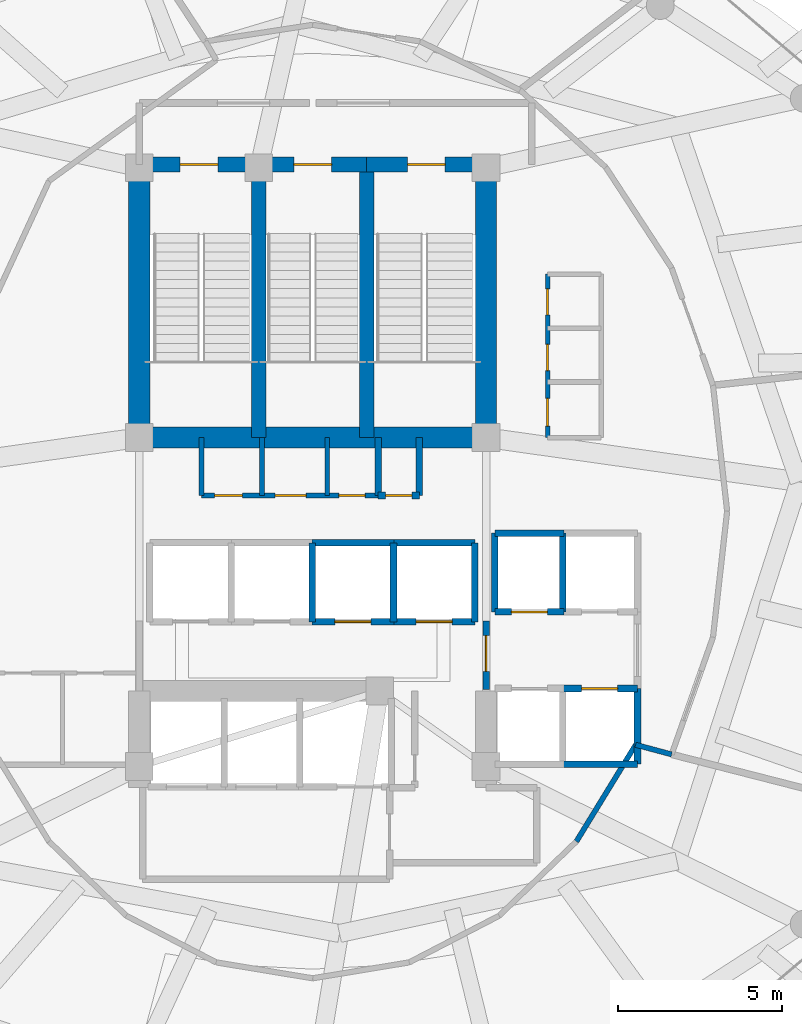
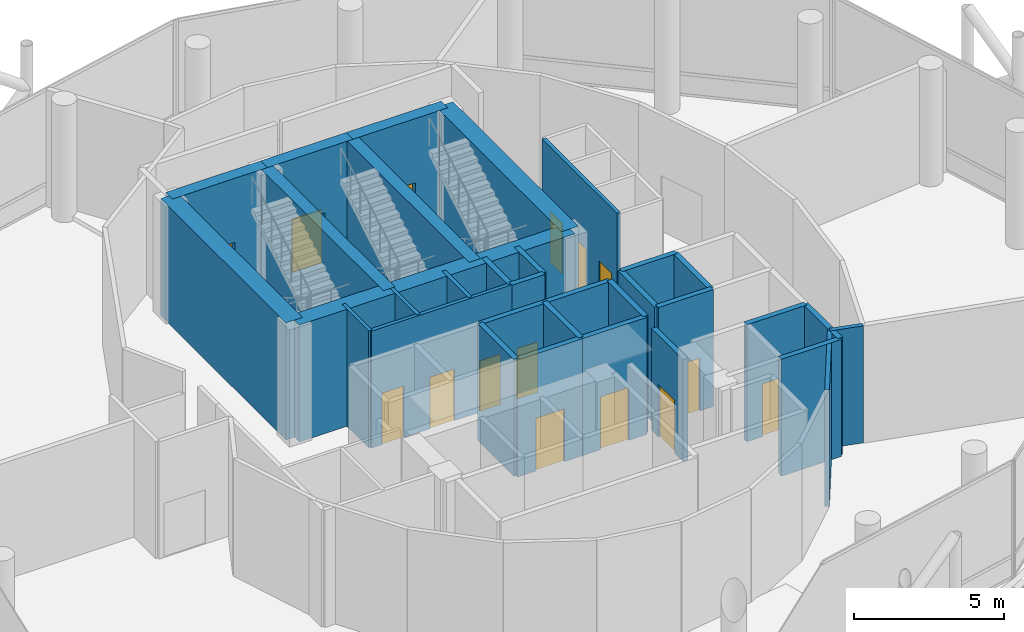
# One storey, part 25 of 31: 33 walls, 15 doors, 15 openings.
"""IFC4 building model written with IfcOpenShell, lengths in metres."""

from ifc_helpers import new_model, si_unit, direction, frame, frame_2d, origin, place, context, subcontext, project, spatial, rectangle, extrude, material, layer, layer_set, type_object, element, fill, save


model = new_model("IFC4")

# Units and contexts
model_context = context("Model", 3, precision=1e-05, world=origin(), true_north=direction((0.0, 1.0)))
body_context = subcontext(model_context, "Body", "Model", "MODEL_VIEW")
ifc_project = project(units=[si_unit("LENGTHUNIT", "METRE"), si_unit("AREAUNIT", "SQUARE_METRE"), si_unit("VOLUMEUNIT", "CUBIC_METRE"), si_unit("PLANEANGLEUNIT", "RADIAN"), si_unit("MASSUNIT", "GRAM", prefix="KILO")], contexts=[model_context])

# Site, building, storey
site_placement = place(None, origin())
site = spatial("IfcSite", under=ifc_project, at=site_placement, CompositionType="ELEMENT")
building_placement = place(site_placement, origin())
building = spatial("IfcBuilding", under=site, at=building_placement, Name="Nuhasar Tower", CompositionType="ELEMENT")
storey_placement = place(building_placement, frame((0.0, 0.0, 203.14990234375)))
storey = spatial("IfcBuildingStorey", under=building, at=storey_placement, Name="L49", CompositionType="ELEMENT", Elevation=203.14990234375)

# Wall, opening, door
ifc_material_1 = material(Name="Concrete C50/60", Category="concrete")
ifc_layer_1 = layer(ifc_material_1, 0.449951171875)
ifc_layer_set_1 = layer_set([ifc_layer_1], Name="Concrete C50/60")
wall_type_1 = type_object("IfcWallType", Name="WL-CORE-450", PredefinedType="SHEAR", material=ifc_layer_set_1)
wall_1_placement = place(storey_placement, frame((37.35009765625, 37.39990234375, 0.0), z_axis=(0.0, 0.0, 1.0), x_axis=(-1.0, 0.0, 0.0)))
wall_1 = element("IfcWall", 1, at=wall_1_placement, inside=storey, type_object=wall_type_1, Name="L49 Stairwell Shear Wall ST01-N", PredefinedType="SHEAR", context=body_context, shape_type="SweptSolid", body=[
    extrude(rectangle(XDim=3.650146484375, YDim=0.449951171875, at=frame_2d((1.8251953125, 0.0))), origin(), (0.0, 0.0, 1.0), 4.760009765625),
])
opening_1_placement = place(wall_1_placement, frame((1.25, 0.0, 0.0)))
opening_1 = element("IfcOpeningElement", 2, at=opening_1_placement, cuts=wall_1, Name="Opening DS-01", PredefinedType="OPENING", context=body_context, shape_type="SweptSolid", body=[
    extrude(rectangle(XDim=1.14990234375, YDim=2.14990234375, at=frame_2d((0.574951171875, 1.074951171875))), frame((0.0, 0.23486328125, 0.0), z_axis=(0.0, -1.0, 0.0), x_axis=(1.0, 0.0, 0.0)), (0.0, 0.0, 1.0), 0.469970703125),
])
ifc_material_2 = material(Name="Steel S355", Category="steel")
door_type_1 = type_object("IfcDoorType", Name="DR-STAIR-FD120-1150", OperationType="NOTDEFINED", PredefinedType="DOOR", material=ifc_material_2)
door_1_placement = place(opening_1_placement, origin())
door_1 = element("IfcDoor", 3, at=door_1_placement, inside=storey, type_object=door_type_1, Name="L49 Exit Stair ST-01 Door", OperationType="SINGLE_SWING_RIGHT", OverallHeight=2.14990234375, OverallWidth=1.14990234375, PredefinedType="DOOR", context=body_context, shape_type="SweptSolid", body=[
    extrude(rectangle(XDim=1.14990234375, YDim=2.14990234375, at=frame_2d((0.574951171875, 1.074951171875))), frame((0.0, 0.02490234375, 0.0), z_axis=(0.0, -1.0, 0.0), x_axis=(1.0, 0.0, 0.0)), (0.0, 0.0, 1.0), 0.050048828125),
])
fill(opening_1, door_1)

# Wall
wall_2_placement = place(storey_placement, frame((37.35009765625, 29.050048828125, 0.0), z_axis=(0.0, 0.0, 1.0), x_axis=(0.0, 1.0, 0.0)))
element("IfcWall", 4, at=wall_2_placement, inside=storey, type_object=wall_type_1, Name="L49 Stairwell Shear Wall ST01-E", PredefinedType="SHEAR", context=body_context, shape_type="SweptSolid", body=[
    extrude(rectangle(XDim=8.349853515625, YDim=0.449951171875, at=frame_2d((4.1748046875, 0.0))), origin(), (0.0, 0.0, 1.0), 4.760009765625),
])

# Wall, opening, door
wall_3_placement = place(storey_placement, frame((40.64990234375, 37.39990234375, 0.0), z_axis=(0.0, 0.0, 1.0), x_axis=(-1.0, 0.0, 0.0)))
wall_3 = element("IfcWall", 5, at=wall_3_placement, inside=storey, type_object=wall_type_1, Name="L49 Stairwell Shear Wall ST03-N", PredefinedType="SHEAR", context=body_context, shape_type="SweptSolid", body=[
    extrude(rectangle(XDim=3.2998046875, YDim=0.449951171875, at=frame_2d((1.64990234375, 0.0))), origin(), (0.0, 0.0, 1.0), 4.760009765625),
])
opening_2_placement = place(wall_3_placement, frame((1.074951171875, 0.0, 0.0)))
opening_2 = element("IfcOpeningElement", 6, at=opening_2_placement, cuts=wall_3, Name="Opening DS-01", PredefinedType="OPENING", context=body_context, shape_type="SweptSolid", body=[
    extrude(rectangle(XDim=1.14990234375, YDim=2.14990234375, at=frame_2d((0.574951171875, 1.074951171875))), frame((0.0, 0.23486328125, 0.0), z_axis=(0.0, -1.0, 0.0), x_axis=(1.0, 0.0, 0.0)), (0.0, 0.0, 1.0), 0.469970703125),
])
door_2_placement = place(opening_2_placement, origin())
door_2 = element("IfcDoor", 7, at=door_2_placement, inside=storey, type_object=door_type_1, Name="L49 Exit Stair ST-03 Door", OperationType="SINGLE_SWING_RIGHT", OverallHeight=2.14990234375, OverallWidth=1.14990234375, PredefinedType="DOOR", context=body_context, shape_type="SweptSolid", body=[
    extrude(rectangle(XDim=1.14990234375, YDim=2.14990234375, at=frame_2d((0.574951171875, 1.074951171875))), frame((0.0, 0.02490234375, 0.0), z_axis=(0.0, -1.0, 0.0), x_axis=(1.0, 0.0, 0.0)), (0.0, 0.0, 1.0), 0.050048828125),
])
fill(opening_2, door_2)

# Wall
wall_4_placement = place(storey_placement, frame((40.64990234375, 29.050048828125, 0.0), z_axis=(0.0, 0.0, 1.0), x_axis=(0.0, 1.0, 0.0)))
element("IfcWall", 8, at=wall_4_placement, inside=storey, type_object=wall_type_1, Name="L49 Stairwell Shear Wall ST03-E", PredefinedType="SHEAR", context=body_context, shape_type="SweptSolid", body=[
    extrude(rectangle(XDim=8.349853515625, YDim=0.449951171875, at=frame_2d((4.1748046875, 0.0))), origin(), (0.0, 0.0, 1.0), 4.760009765625),
])

# Wall, opening, door
wall_5_placement = place(storey_placement, frame((44.300048828125, 37.39990234375, 0.0), z_axis=(0.0, 0.0, 1.0), x_axis=(-1.0, 0.0, 0.0)))
wall_5 = element("IfcWall", 9, at=wall_5_placement, inside=storey, type_object=wall_type_1, Name="L49 Stairwell Shear Wall ST02-N", PredefinedType="SHEAR", context=body_context, shape_type="SweptSolid", body=[
    extrude(rectangle(XDim=3.650146484375, YDim=0.449951171875, at=frame_2d((1.8251953125, 0.0))), origin(), (0.0, 0.0, 1.0), 4.760009765625),
])
opening_3_placement = place(wall_5_placement, frame((1.25, 0.0, 0.0)))
opening_3 = element("IfcOpeningElement", 10, at=opening_3_placement, cuts=wall_5, Name="Opening DS-01", PredefinedType="OPENING", context=body_context, shape_type="SweptSolid", body=[
    extrude(rectangle(XDim=1.14990234375, YDim=2.14990234375, at=frame_2d((0.574951171875, 1.074951171875))), frame((0.0, 0.23486328125, 0.0), z_axis=(0.0, -1.0, 0.0), x_axis=(1.0, 0.0, 0.0)), (0.0, 0.0, 1.0), 0.469970703125),
])
door_3_placement = place(opening_3_placement, origin())
door_3 = element("IfcDoor", 11, at=door_3_placement, inside=storey, type_object=door_type_1, Name="L49 Exit Stair ST-02 Door", OperationType="SINGLE_SWING_LEFT", OverallHeight=2.14990234375, OverallWidth=1.14990234375, PredefinedType="DOOR", context=body_context, shape_type="SweptSolid", body=[
    extrude(rectangle(XDim=1.14990234375, YDim=2.14990234375, at=frame_2d((0.574951171875, 1.074951171875))), frame((0.0, 0.02490234375, 0.0), z_axis=(0.0, -1.0, 0.0), x_axis=(1.0, 0.0, 0.0)), (0.0, 0.0, 1.0), 0.050048828125),
])
fill(opening_3, door_3)

# Walls
ifc_material_3 = material(Name="Concrete C65/80", Category="concrete")
ifc_layer_2 = layer(ifc_material_3, 0.64990234375)
ifc_layer_set_2 = layer_set([ifc_layer_2], Name="Concrete C65/80")
wall_type_2 = type_object("IfcWallType", Name="WL-CORE-650", PredefinedType="SHEAR", material=ifc_layer_set_2)
for number, where, z_axis, x_axis, name in (
    (12, (33.699951171875, 29.050048828125, 0.0), (0.0, 0.0, 1.0), (0.0, 1.0, 0.0), "L49 Core Shear Wall CW-NW CW-650"),
    (13, (44.300048828125, 29.050048828125, 0.0), (0.0, 0.0, 1.0), (0.0, 1.0, 0.0), "L49 Core Shear Wall CW-NE CW-650"),
):
    element("IfcWall", number, at=place(storey_placement, frame(where, z_axis=z_axis, x_axis=x_axis)), inside=storey, type_object=wall_type_2, Name=name, PredefinedType="SHEAR", context=body_context, shape_type="SweptSolid", body=[
        extrude(rectangle(XDim=8.349853515625, YDim=0.64990234375, at=frame_2d((4.1748046875, 0.0))), origin(), (0.0, 0.0, 1.0), 4.760009765625),
    ])
wall_6_placement = place(storey_placement, frame((33.699951171875, 29.050048828125, 0.0), z_axis=(0.0, 0.0, 1.0), x_axis=(1.0, 0.0, 0.0)))
element("IfcWall", 14, at=wall_6_placement, inside=storey, type_object=wall_type_2, Name="L49 Core Shear Wall CW-N1 CW-650", PredefinedType="SHEAR", context=body_context, shape_type="SweptSolid", body=[
    extrude(rectangle(XDim=10.60009765625, YDim=0.64990234375, at=frame_2d((5.300048828125, 0.0))), origin(), (0.0, 0.0, 1.0), 4.760009765625),
])
ifc_material_4 = material(Name="Gypsum Board", Category="gypsum")
ifc_layer_3 = layer(ifc_material_4, 0.159912109375)
ifc_layer_set_3 = layer_set([ifc_layer_3], Name="Gypsum Board")
wall_type_3 = type_object("IfcWallType", Name="WL-CORR-160", PredefinedType="PARTITIONING", material=ifc_layer_set_3)
wall_7_placement = place(storey_placement, frame((48.873046875, 19.659912109375, 0.0), z_axis=(0.0, 0.0, 1.0), x_axis=(0.965878165217, -0.258996853181, 0.0)))
element("IfcWall", 15, at=wall_7_placement, inside=storey, type_object=wall_type_3, Name="L49 Interior Partition SRAD-44-IN", PredefinedType="PARTITIONING", context=body_context, shape_type="SweptSolid", body=[
    extrude(rectangle(XDim=1.138671875, YDim=0.159912109375, at=frame_2d((0.5693359375, 0.0))), origin(), (0.0, 0.0, 1.0), 4.760009765625),
])
wall_8_placement = place(storey_placement, frame((47.06103515625, 16.702880859375, 0.0), z_axis=(0.0, 0.0, 1.0), x_axis=(0.522486120877, 0.852647789823, 0.0)))
element("IfcWall", 16, at=wall_8_placement, inside=storey, type_object=wall_type_3, Name="L49 Interior Partition SWEST-CORE-S-42", PredefinedType="PARTITIONING", context=body_context, shape_type="SweptSolid", body=[
    extrude(rectangle(XDim=3.468017578125, YDim=0.159912109375, at=frame_2d((1.73388671875, 0.0))), origin(), (0.0, 0.0, 1.0), 4.760009765625),
])

# Wall, opening, door
ifc_material_5 = material(Name="Concrete C45/55", Category="concrete")
ifc_layer_4 = layer(ifc_material_5, 0.199951171875)
ifc_layer_set_4 = layer_set([ifc_layer_4], Name="Concrete C45/55")
wall_type_4 = type_object("IfcWallType", Name="WL-LOBBY-200", PredefinedType="SOLIDWALL", material=ifc_layer_set_4)
wall_9_placement = place(storey_placement, frame((44.300048828125, 21.35009765625, 0.0), z_axis=(0.0, 0.0, 1.0), x_axis=(0.0, 1.0, 0.0)))
wall_9 = element("IfcWall", 17, at=wall_9_placement, inside=storey, type_object=wall_type_4, Name="L49 Interior Partition LLBH-E", PredefinedType="SOLIDWALL", context=body_context, shape_type="SweptSolid", body=[
    extrude(rectangle(XDim=2.099853515625, YDim=0.199951171875, at=frame_2d((1.0498046875, 0.0))), origin(), (0.0, 0.0, 1.0), 4.14501953125),
])
opening_4_placement = place(wall_9_placement, frame((0.550048828125, 0.0, 0.0)))
opening_4 = element("IfcOpeningElement", 18, at=opening_4_placement, cuts=wall_9, Name="Opening DS-02", PredefinedType="OPENING", context=body_context, shape_type="SweptSolid", body=[
    extrude(rectangle(XDim=1.10009765625, YDim=2.14990234375, at=frame_2d((0.550048828125, 1.074951171875))), frame((0.0, 0.10986328125, 0.0), z_axis=(0.0, -1.0, 0.0), x_axis=(1.0, 0.0, 0.0)), (0.0, 0.0, 1.0), 0.219970703125),
])
door_type_2 = type_object("IfcDoorType", Name="DR-FFL-FD120-1100", OperationType="NOTDEFINED", PredefinedType="DOOR", material=ifc_material_2)
door_4_placement = place(opening_4_placement, origin())
door_4 = element("IfcDoor", 19, at=door_4_placement, inside=storey, type_object=door_type_2, Name="L49 High-Rise Lobby East Door", OperationType="SINGLE_SWING_RIGHT", OverallHeight=2.14990234375, OverallWidth=1.10009765625, PredefinedType="DOOR", context=body_context, shape_type="SweptSolid", body=[
    extrude(rectangle(XDim=1.10009765625, YDim=2.14990234375, at=frame_2d((0.550048828125, 1.074951171875))), frame((0.0, 0.02490234375, 0.0), z_axis=(0.0, -1.0, 0.0), x_axis=(1.0, 0.0, 0.0)), (0.0, 0.0, 1.0), 0.050048828125),
])
fill(opening_4, door_4)

# Walls
ifc_layer_5 = layer(ifc_material_5, 0.199951171875)
ifc_layer_set_5 = layer_set([ifc_layer_5], Name="Concrete C45/55")
wall_type_5 = type_object("IfcWallType", Name="WL-SHAFT-200", PredefinedType="SOLIDWALL", material=ifc_layer_set_5)
for number, where, z_axis, x_axis, name in (
    (20, (41.0, 27.280029296875, 0.0), (0.0, 0.0, 1.0), (0.0, 1.0, 0.0), "L49 Interior Partition RSRN-W"),
    (21, (42.260009765625, 27.280029296875, 0.0), (0.0, 0.0, 1.0), (0.0, 1.0, 0.0), "L49 Interior Partition RSRN-E"),
):
    element("IfcWall", number, at=place(storey_placement, frame(where, z_axis=z_axis, x_axis=x_axis)), inside=storey, type_object=wall_type_5, Name=name, PredefinedType="SOLIDWALL", context=body_context, shape_type="SweptSolid", body=[
        extrude(rectangle(XDim=1.77001953125, YDim=0.199951171875, at=frame_2d((0.885009765625, 0.0))), origin(), (0.0, 0.0, 1.0), 4.760009765625),
    ])

# Wall, opening, door
wall_10_placement = place(storey_placement, frame((41.0, 27.280029296875, 0.0), z_axis=(0.0, 0.0, 1.0), x_axis=(1.0, 0.0, 0.0)))
wall_10 = element("IfcWall", 22, at=wall_10_placement, inside=storey, type_object=wall_type_5, Name="L49 Interior Partition RSRN-S", PredefinedType="SOLIDWALL", context=body_context, shape_type="SweptSolid", body=[
    extrude(rectangle(XDim=1.260009765625, YDim=0.199951171875, at=frame_2d((0.6298828125, 0.0))), origin(), (0.0, 0.0, 1.0), 4.760009765625),
])
opening_5_placement = place(wall_10_placement, frame((0.22998046875, 0.0, 0.0)))
opening_5 = element("IfcOpeningElement", 23, at=opening_5_placement, cuts=wall_10, Name="Opening DM-01", PredefinedType="OPENING", context=body_context, shape_type="SweptSolid", body=[
    extrude(rectangle(XDim=0.800048828125, YDim=2.050048828125, at=frame_2d((0.39990234375, 1.02490234375))), frame((0.0, 0.10986328125, 0.0), z_axis=(0.0, -1.0, 0.0), x_axis=(1.0, 0.0, 0.0)), (0.0, 0.0, 1.0), 0.219970703125),
])
door_type_3 = type_object("IfcDoorType", Name="DR-RISER-FD60-800", OperationType="NOTDEFINED", PredefinedType="DOOR", material=ifc_material_2)
door_5_placement = place(opening_5_placement, origin())
door_5 = element("IfcDoor", 24, at=door_5_placement, inside=storey, type_object=door_type_3, Name="L49 North Smoke Riser Door", OperationType="SINGLE_SWING_RIGHT", OverallHeight=2.050048828125, OverallWidth=0.800048828125, PredefinedType="DOOR", context=body_context, shape_type="SweptSolid", body=[
    extrude(rectangle(XDim=0.800048828125, YDim=2.050048828125, at=frame_2d((0.39990234375, 1.02490234375))), frame((0.0, 0.02490234375, 0.0), z_axis=(0.0, -1.0, 0.0), x_axis=(1.0, 0.0, 0.0)), (0.0, 0.0, 1.0), 0.050048828125),
])
fill(opening_5, door_5)

wall_11_placement = place(storey_placement, frame((44.570068359375, 23.719970703125, 0.0), z_axis=(0.0, 0.0, 1.0), x_axis=(1.0, 0.0, 0.0)))
wall_11 = element("IfcWall", 25, at=wall_11_placement, inside=storey, type_object=wall_type_5, Name="L49 Interior Partition SHF-PL-M01-S", PredefinedType="SOLIDWALL", context=body_context, shape_type="SweptSolid", body=[
    extrude(rectangle(XDim=2.10986328125, YDim=0.199951171875, at=frame_2d((1.054931640625, 0.0))), origin(), (0.0, 0.0, 1.0), 4.760009765625),
])
opening_6_placement = place(wall_11_placement, frame((0.5048828125, 0.0, 0.0)))
opening_6 = element("IfcOpeningElement", 26, at=opening_6_placement, cuts=wall_11, Name="Opening LD-M01", PredefinedType="OPENING", context=body_context, shape_type="SweptSolid", body=[
    extrude(rectangle(XDim=1.10009765625, YDim=2.14990234375, at=frame_2d((0.550048828125, 1.074951171875))), frame((0.0, 0.10986328125, 0.0), z_axis=(0.0, -1.0, 0.0), x_axis=(1.0, 0.0, 0.0)), (0.0, 0.0, 1.0), 0.219970703125),
])
ifc_material_6 = material(Name="Stainless Steel 316L", Category="steel")
door_type_4 = type_object("IfcDoorType", Name="LD-PAX-1100", OperationType="DOUBLE_DOOR_SLIDING", PredefinedType="DOOR", material=ifc_material_6)
door_6_placement = place(opening_6_placement, origin())
door_6 = element("IfcDoor", 27, at=door_6_placement, inside=storey, type_object=door_type_4, Name="L49 Lift Landing Door PL-M01", OperationType="DOUBLE_DOOR_SLIDING", OverallHeight=2.14990234375, OverallWidth=1.10009765625, PredefinedType="DOOR", context=body_context, shape_type="SweptSolid", body=[
    extrude(rectangle(XDim=1.10009765625, YDim=2.14990234375, at=frame_2d((0.550048828125, 1.074951171875))), frame((0.0, 0.02490234375, 0.0), z_axis=(0.0, -1.0, 0.0), x_axis=(1.0, 0.0, 0.0)), (0.0, 0.0, 1.0), 0.050048828125),
])
fill(opening_6, door_6)

# Walls
wall_12_placement = place(storey_placement, frame((44.570068359375, 26.1298828125, 0.0), z_axis=(0.0, 0.0, 1.0), x_axis=(1.0, 0.0, 0.0)))
element("IfcWall", 28, at=wall_12_placement, inside=storey, type_object=wall_type_5, Name="L49 Interior Partition SHF-PL-M01-N", PredefinedType="SOLIDWALL", context=body_context, shape_type="SweptSolid", body=[
    extrude(rectangle(XDim=2.10986328125, YDim=0.199951171875, at=frame_2d((1.054931640625, 0.0))), origin(), (0.0, 0.0, 1.0), 4.760009765625),
])
for number, where, z_axis, x_axis, name in (
    (29, (44.570068359375, 23.719970703125, 0.0), (0.0, 0.0, 1.0), (0.0, 1.0, 0.0), "L49 Interior Partition SHF-PL-M01-W"),
    (30, (46.64990234375, 23.719970703125, 0.0), (0.0, 0.0, 1.0), (0.0, 1.0, 0.0), "L49 Interior Partition SHF-PL-M01-E"),
):
    element("IfcWall", number, at=place(storey_placement, frame(where, z_axis=z_axis, x_axis=x_axis)), inside=storey, type_object=wall_type_5, Name=name, PredefinedType="SOLIDWALL", context=body_context, shape_type="SweptSolid", body=[
        extrude(rectangle(XDim=2.409912109375, YDim=0.199951171875, at=frame_2d((1.205078125, 0.0))), origin(), (0.0, 0.0, 1.0), 4.760009765625),
    ])
wall_13_placement = place(storey_placement, frame((46.6201171875, 19.070068359375, 0.0), z_axis=(0.0, 0.0, 1.0), x_axis=(1.0, 0.0, 0.0)))
element("IfcWall", 31, at=wall_13_placement, inside=storey, type_object=wall_type_5, Name="L49 Interior Partition SHF-PL-M04-S", PredefinedType="SOLIDWALL", context=body_context, shape_type="SweptSolid", body=[
    extrude(rectangle(XDim=2.309814453125, YDim=0.199951171875, at=frame_2d((1.15478515625, 0.0))), origin(), (0.0, 0.0, 1.0), 4.760009765625),
])

# Wall, opening, door
wall_14_placement = place(storey_placement, frame((46.6201171875, 21.3798828125, 0.0), z_axis=(0.0, 0.0, 1.0), x_axis=(1.0, 0.0, 0.0)))
wall_14 = element("IfcWall", 32, at=wall_14_placement, inside=storey, type_object=wall_type_5, Name="L49 Interior Partition SHF-PL-M04-N", PredefinedType="SOLIDWALL", context=body_context, shape_type="SweptSolid", body=[
    extrude(rectangle(XDim=2.309814453125, YDim=0.199951171875, at=frame_2d((1.15478515625, 0.0))), origin(), (0.0, 0.0, 1.0), 4.760009765625),
])
opening_7_placement = place(wall_14_placement, frame((0.60498046875, 0.0, 0.0)))
opening_7 = element("IfcOpeningElement", 33, at=opening_7_placement, cuts=wall_14, Name="Opening LD-M04", PredefinedType="OPENING", context=body_context, shape_type="SweptSolid", body=[
    extrude(rectangle(XDim=1.10009765625, YDim=2.14990234375, at=frame_2d((0.550048828125, 1.074951171875))), frame((0.0, 0.10986328125, 0.0), z_axis=(0.0, -1.0, 0.0), x_axis=(1.0, 0.0, 0.0)), (0.0, 0.0, 1.0), 0.219970703125),
])
door_7_placement = place(opening_7_placement, origin())
door_7 = element("IfcDoor", 34, at=door_7_placement, inside=storey, type_object=door_type_4, Name="L49 Lift Landing Door PL-M04", OperationType="DOUBLE_DOOR_SLIDING", OverallHeight=2.14990234375, OverallWidth=1.10009765625, PredefinedType="DOOR", context=body_context, shape_type="SweptSolid", body=[
    extrude(rectangle(XDim=1.10009765625, YDim=2.14990234375, at=frame_2d((0.550048828125, 1.074951171875))), frame((0.0, 0.02490234375, 0.0), z_axis=(0.0, -1.0, 0.0), x_axis=(1.0, 0.0, 0.0)), (0.0, 0.0, 1.0), 0.050048828125),
])
fill(opening_7, door_7)

# Walls
wall_15_placement = place(storey_placement, frame((48.929931640625, 19.070068359375, 0.0), z_axis=(0.0, 0.0, 1.0), x_axis=(0.0, 1.0, 0.0)))
element("IfcWall", 35, at=wall_15_placement, inside=storey, type_object=wall_type_5, Name="L49 Interior Partition SHF-PL-M04-E", PredefinedType="SOLIDWALL", context=body_context, shape_type="SweptSolid", body=[
    extrude(rectangle(XDim=2.309814453125, YDim=0.199951171875, at=frame_2d((1.15478515625, 0.0))), origin(), (0.0, 0.0, 1.0), 4.760009765625),
])
wall_16_placement = place(storey_placement, frame((38.989990234375, 23.419921875, 0.0), z_axis=(0.0, 0.0, 1.0), x_axis=(0.0, 1.0, 0.0)))
element("IfcWall", 36, at=wall_16_placement, inside=storey, type_object=wall_type_5, Name="L49 Interior Partition SHF-PL-H02-E", PredefinedType="SOLIDWALL", context=body_context, shape_type="SweptSolid", body=[
    extrude(rectangle(XDim=2.41015625, YDim=0.199951171875, at=frame_2d((1.205078125, 0.0))), origin(), (0.0, 0.0, 1.0), 4.760009765625),
])

# Wall, opening, door
wall_17_placement = place(storey_placement, frame((38.97998046875, 23.419921875, 0.0), z_axis=(0.0, 0.0, 1.0), x_axis=(1.0, 0.0, 0.0)))
wall_17 = element("IfcWall", 37, at=wall_17_placement, inside=storey, type_object=wall_type_5, Name="L49 Interior Partition SHF-PL-H03-S", PredefinedType="SOLIDWALL", context=body_context, shape_type="SweptSolid", body=[
    extrude(rectangle(XDim=2.5, YDim=0.199951171875, at=frame_2d((1.25, 0.0))), origin(), (0.0, 0.0, 1.0), 4.760009765625),
])
opening_8_placement = place(wall_17_placement, frame((0.699951171875, 0.0, 0.0)))
opening_8 = element("IfcOpeningElement", 38, at=opening_8_placement, cuts=wall_17, Name="Opening LD-H03", PredefinedType="OPENING", context=body_context, shape_type="SweptSolid", body=[
    extrude(rectangle(XDim=1.10009765625, YDim=2.14990234375, at=frame_2d((0.550048828125, 1.074951171875))), frame((0.0, 0.10986328125, 0.0), z_axis=(0.0, -1.0, 0.0), x_axis=(1.0, 0.0, 0.0)), (0.0, 0.0, 1.0), 0.219970703125),
])
door_8_placement = place(opening_8_placement, origin())
door_8 = element("IfcDoor", 39, at=door_8_placement, inside=storey, type_object=door_type_4, Name="L49 Lift Landing Door PL-H03", OperationType="DOUBLE_DOOR_SLIDING", OverallHeight=2.14990234375, OverallWidth=1.10009765625, PredefinedType="DOOR", context=body_context, shape_type="SweptSolid", body=[
    extrude(rectangle(XDim=1.10009765625, YDim=2.14990234375, at=frame_2d((0.550048828125, 1.074951171875))), frame((0.0, 0.02490234375, 0.0), z_axis=(0.0, -1.0, 0.0), x_axis=(1.0, 0.0, 0.0)), (0.0, 0.0, 1.0), 0.050048828125),
])
fill(opening_8, door_8)

# Walls
wall_18_placement = place(storey_placement, frame((38.97998046875, 25.830078125, 0.0), z_axis=(0.0, 0.0, 1.0), x_axis=(1.0, 0.0, 0.0)))
element("IfcWall", 40, at=wall_18_placement, inside=storey, type_object=wall_type_5, Name="L49 Interior Partition SHF-PL-H03-N", PredefinedType="SOLIDWALL", context=body_context, shape_type="SweptSolid", body=[
    extrude(rectangle(XDim=2.5, YDim=0.199951171875, at=frame_2d((1.25, 0.0))), origin(), (0.0, 0.0, 1.0), 4.760009765625),
])
wall_19_placement = place(storey_placement, frame((41.469970703125, 23.419921875, 0.0), z_axis=(0.0, 0.0, 1.0), x_axis=(0.0, 1.0, 0.0)))
element("IfcWall", 41, at=wall_19_placement, inside=storey, type_object=wall_type_5, Name="L49 Interior Partition SHF-PL-H03-E", PredefinedType="SOLIDWALL", context=body_context, shape_type="SweptSolid", body=[
    extrude(rectangle(XDim=2.41015625, YDim=0.199951171875, at=frame_2d((1.205078125, 0.0))), origin(), (0.0, 0.0, 1.0), 4.760009765625),
])

# Wall, opening, door
wall_20_placement = place(storey_placement, frame((41.4599609375, 23.419921875, 0.0), z_axis=(0.0, 0.0, 1.0), x_axis=(1.0, 0.0, 0.0)))
wall_20 = element("IfcWall", 42, at=wall_20_placement, inside=storey, type_object=wall_type_5, Name="L49 Interior Partition SHF-PL-H04-S", PredefinedType="SOLIDWALL", context=body_context, shape_type="SweptSolid", body=[
    extrude(rectangle(XDim=2.5, YDim=0.199951171875, at=frame_2d((1.25, 0.0))), origin(), (0.0, 0.0, 1.0), 4.760009765625),
])
opening_9_placement = place(wall_20_placement, frame((0.699951171875, 0.0, 0.0)))
opening_9 = element("IfcOpeningElement", 43, at=opening_9_placement, cuts=wall_20, Name="Opening LD-H04", PredefinedType="OPENING", context=body_context, shape_type="SweptSolid", body=[
    extrude(rectangle(XDim=1.10009765625, YDim=2.14990234375, at=frame_2d((0.550048828125, 1.074951171875))), frame((0.0, 0.10986328125, 0.0), z_axis=(0.0, -1.0, 0.0), x_axis=(1.0, 0.0, 0.0)), (0.0, 0.0, 1.0), 0.219970703125),
])
door_9_placement = place(opening_9_placement, origin())
door_9 = element("IfcDoor", 44, at=door_9_placement, inside=storey, type_object=door_type_4, Name="L49 Lift Landing Door PL-H04", OperationType="DOUBLE_DOOR_SLIDING", OverallHeight=2.14990234375, OverallWidth=1.10009765625, PredefinedType="DOOR", context=body_context, shape_type="SweptSolid", body=[
    extrude(rectangle(XDim=1.10009765625, YDim=2.14990234375, at=frame_2d((0.550048828125, 1.074951171875))), frame((0.0, 0.02490234375, 0.0), z_axis=(0.0, -1.0, 0.0), x_axis=(1.0, 0.0, 0.0)), (0.0, 0.0, 1.0), 0.050048828125),
])
fill(opening_9, door_9)

# Walls
wall_21_placement = place(storey_placement, frame((41.4599609375, 25.830078125, 0.0), z_axis=(0.0, 0.0, 1.0), x_axis=(1.0, 0.0, 0.0)))
element("IfcWall", 45, at=wall_21_placement, inside=storey, type_object=wall_type_5, Name="L49 Interior Partition SHF-PL-H04-N", PredefinedType="SOLIDWALL", context=body_context, shape_type="SweptSolid", body=[
    extrude(rectangle(XDim=2.5, YDim=0.199951171875, at=frame_2d((1.25, 0.0))), origin(), (0.0, 0.0, 1.0), 4.760009765625),
])
wall_22_placement = place(storey_placement, frame((43.9599609375, 23.419921875, 0.0), z_axis=(0.0, 0.0, 1.0), x_axis=(0.0, 1.0, 0.0)))
element("IfcWall", 46, at=wall_22_placement, inside=storey, type_object=wall_type_5, Name="L49 Interior Partition SHF-PL-H04-E", PredefinedType="SOLIDWALL", context=body_context, shape_type="SweptSolid", body=[
    extrude(rectangle(XDim=2.41015625, YDim=0.199951171875, at=frame_2d((1.205078125, 0.0))), origin(), (0.0, 0.0, 1.0), 4.760009765625),
])
ifc_material_7 = material(Name="Concrete C40/50 precast", Category="concrete")
ifc_layer_6 = layer(ifc_material_7, 0.139892578125)
ifc_layer_set_6 = layer_set([ifc_layer_6], Name="Concrete C40/50 precast")
wall_type_6 = type_object("IfcWallType", Name="WL-WET-140", PredefinedType="PARTITIONING", material=ifc_layer_set_6)
wall_23_placement = place(storey_placement, frame((35.60009765625, 27.280029296875, 0.0), z_axis=(0.0, 0.0, 1.0), x_axis=(0.0, 1.0, 0.0)))
element("IfcWall", 47, at=wall_23_placement, inside=storey, type_object=wall_type_6, Name="L49 Interior Partition CSVC-W", PredefinedType="PARTITIONING", context=body_context, shape_type="SweptSolid", body=[
    extrude(rectangle(XDim=1.77001953125, YDim=0.139892578125, at=frame_2d((0.885009765625, 0.0))), origin(), (0.0, 0.0, 1.0), 4.760009765625),
])

# Wall, openings, doors
wall_24_placement = place(storey_placement, frame((35.60009765625, 27.280029296875, 0.0), z_axis=(0.0, 0.0, 1.0), x_axis=(1.0, 0.0, 0.0)))
wall_24 = element("IfcWall", 48, at=wall_24_placement, inside=storey, type_object=wall_type_6, Name="L49 Interior Partition CSVC-S", PredefinedType="PARTITIONING", context=body_context, shape_type="SweptSolid", body=[
    extrude(rectangle(XDim=5.39990234375, YDim=0.139892578125, at=frame_2d((2.699951171875, 0.0))), origin(), (0.0, 0.0, 1.0), 4.760009765625),
])
opening_10_placement = place(wall_24_placement, frame((0.39990234375, 0.0, 0.0)))
opening_10 = element("IfcOpeningElement", 49, at=opening_10_placement, cuts=wall_24, Name="Opening DB-01", PredefinedType="OPENING", context=body_context, shape_type="SweptSolid", body=[
    extrude(rectangle(XDim=0.85009765625, YDim=2.10009765625, at=frame_2d((0.425048828125, 1.050048828125))), frame((0.0, 0.080078125, 0.0), z_axis=(0.0, -1.0, 0.0), x_axis=(1.0, 0.0, 0.0)), (0.0, 0.0, 1.0), 0.159912109375),
])
opening_11_placement = place(wall_24_placement, frame((2.25, 0.0, 0.0)))
opening_11 = element("IfcOpeningElement", 50, at=opening_11_placement, cuts=wall_24, Name="Opening DA-01", PredefinedType="OPENING", context=body_context, shape_type="SweptSolid", body=[
    extrude(rectangle(XDim=0.949951171875, YDim=2.10009765625, at=frame_2d((0.47509765625, 1.050048828125))), frame((0.0, 0.080078125, 0.0), z_axis=(0.0, -1.0, 0.0), x_axis=(1.0, 0.0, 0.0)), (0.0, 0.0, 1.0), 0.159912109375),
])
opening_12_placement = place(wall_24_placement, frame((4.199951171875, 0.0, 0.0)))
opening_12 = element("IfcOpeningElement", 51, at=opening_12_placement, cuts=wall_24, Name="Opening DM-01", PredefinedType="OPENING", context=body_context, shape_type="SweptSolid", body=[
    extrude(rectangle(XDim=0.800048828125, YDim=2.050048828125, at=frame_2d((0.39990234375, 1.02490234375))), frame((0.0, 0.080078125, 0.0), z_axis=(0.0, -1.0, 0.0), x_axis=(1.0, 0.0, 0.0)), (0.0, 0.0, 1.0), 0.159912109375),
])
ifc_material_8 = material(Name="Timber Oak", Category="wood")
door_type_5 = type_object("IfcDoorType", Name="DR-ACCWC-950", OperationType="NOTDEFINED", PredefinedType="DOOR", material=ifc_material_8)
door_10_placement = place(opening_11_placement, origin())
door_10 = element("IfcDoor", 52, at=door_10_placement, inside=storey, type_object=door_type_5, Name="L49 Core Accessible WC Door", OperationType="SINGLE_SWING_RIGHT", OverallHeight=2.10009765625, OverallWidth=0.949951171875, PredefinedType="DOOR", context=body_context, shape_type="SweptSolid", body=[
    extrude(rectangle(XDim=0.949951171875, YDim=2.10009765625, at=frame_2d((0.47509765625, 1.050048828125))), frame((0.0, 0.02490234375, 0.0), z_axis=(0.0, -1.0, 0.0), x_axis=(1.0, 0.0, 0.0)), (0.0, 0.0, 1.0), 0.050048828125),
])
fill(opening_11, door_10)
door_type_6 = type_object("IfcDoorType", Name="DR-BATH-850", OperationType="NOTDEFINED", PredefinedType="DOOR", material=ifc_material_8)
door_11_placement = place(opening_10_placement, origin())
door_11 = element("IfcDoor", 53, at=door_11_placement, inside=storey, type_object=door_type_6, Name="L49 Core Male WC Door", OperationType="SINGLE_SWING_LEFT", OverallHeight=2.10009765625, OverallWidth=0.85009765625, PredefinedType="DOOR", context=body_context, shape_type="SweptSolid", body=[
    extrude(rectangle(XDim=0.85009765625, YDim=2.10009765625, at=frame_2d((0.425048828125, 1.050048828125))), frame((0.0, 0.02490234375, 0.0), z_axis=(0.0, -1.0, 0.0), x_axis=(1.0, 0.0, 0.0)), (0.0, 0.0, 1.0), 0.050048828125),
])
fill(opening_10, door_11)
door_12_placement = place(opening_12_placement, origin())
door_12 = element("IfcDoor", 54, at=door_12_placement, inside=storey, type_object=door_type_3, Name="L49 Core Janitor Door", OperationType="SINGLE_SWING_RIGHT", OverallHeight=2.050048828125, OverallWidth=0.800048828125, PredefinedType="DOOR", context=body_context, shape_type="SweptSolid", body=[
    extrude(rectangle(XDim=0.800048828125, YDim=2.050048828125, at=frame_2d((0.39990234375, 1.02490234375))), frame((0.0, 0.02490234375, 0.0), z_axis=(0.0, -1.0, 0.0), x_axis=(1.0, 0.0, 0.0)), (0.0, 0.0, 1.0), 0.050048828125),
])
fill(opening_12, door_12)

# Walls
for number, where, z_axis, x_axis, name in (
    (55, (37.449951171875, 27.280029296875, 0.0), (0.0, 0.0, 1.0), (0.0, 1.0, 0.0), "L49 Interior Partition K1-P1"),
    (56, (39.449951171875, 27.280029296875, 0.0), (0.0, 0.0, 1.0), (0.0, 1.0, 0.0), "L49 Interior Partition K1-P2"),
):
    element("IfcWall", number, at=place(storey_placement, frame(where, z_axis=z_axis, x_axis=x_axis)), inside=storey, type_object=wall_type_6, Name=name, PredefinedType="PARTITIONING", context=body_context, shape_type="SweptSolid", body=[
        extrude(rectangle(XDim=1.77001953125, YDim=0.139892578125, at=frame_2d((0.885009765625, 0.0))), origin(), (0.0, 0.0, 1.0), 4.760009765625),
    ])

# Wall, openings, doors
wall_25_placement = place(storey_placement, frame((46.179931640625, 34.050048828125, 0.0), z_axis=(0.0, 0.0, 1.0), x_axis=(0.0, -1.0, 0.0)))
wall_25 = element("IfcWall", 57, at=wall_25_placement, inside=storey, type_object=wall_type_6, Name="L49 Interior Partition K1-NE-W", PredefinedType="PARTITIONING", context=body_context, shape_type="SweptSolid", body=[
    extrude(rectangle(XDim=5.0, YDim=0.139892578125, at=frame_2d((2.5, 0.0))), origin(), (0.0, 0.0, 1.0), 4.760009765625),
])
opening_13_placement = place(wall_25_placement, frame((3.800048828125, 0.0, 0.0)))
opening_13 = element("IfcOpeningElement", 58, at=opening_13_placement, cuts=wall_25, Name="Opening DB-01", PredefinedType="OPENING", context=body_context, shape_type="SweptSolid", body=[
    extrude(rectangle(XDim=0.85009765625, YDim=2.10009765625, at=frame_2d((0.425048828125, 1.050048828125))), frame((0.0, 0.080078125, 0.0), z_axis=(0.0, -1.0, 0.0), x_axis=(1.0, 0.0, 0.0)), (0.0, 0.0, 1.0), 0.159912109375),
])
opening_14_placement = place(wall_25_placement, frame((2.14990234375, 0.0, 0.0)))
opening_14 = element("IfcOpeningElement", 59, at=opening_14_placement, cuts=wall_25, Name="Opening DM-01", PredefinedType="OPENING", context=body_context, shape_type="SweptSolid", body=[
    extrude(rectangle(XDim=0.800048828125, YDim=2.050048828125, at=frame_2d((0.39990234375, 1.02490234375))), frame((0.0, 0.080078125, 0.0), z_axis=(0.0, -1.0, 0.0), x_axis=(1.0, 0.0, 0.0)), (0.0, 0.0, 1.0), 0.159912109375),
])
opening_15_placement = place(wall_25_placement, frame((0.449951171875, 0.0, 0.0)))
opening_15 = element("IfcOpeningElement", 60, at=opening_15_placement, cuts=wall_25, Name="Opening DM-01", PredefinedType="OPENING", context=body_context, shape_type="SweptSolid", body=[
    extrude(rectangle(XDim=0.800048828125, YDim=2.050048828125, at=frame_2d((0.39990234375, 1.02490234375))), frame((0.0, 0.080078125, 0.0), z_axis=(0.0, -1.0, 0.0), x_axis=(1.0, 0.0, 0.0)), (0.0, 0.0, 1.0), 0.159912109375),
])
door_13_placement = place(opening_13_placement, origin())
door_13 = element("IfcDoor", 61, at=door_13_placement, inside=storey, type_object=door_type_6, Name="L49 NE Female WC Door", OperationType="SINGLE_SWING_RIGHT", OverallHeight=2.10009765625, OverallWidth=0.85009765625, PredefinedType="DOOR", context=body_context, shape_type="SweptSolid", body=[
    extrude(rectangle(XDim=0.85009765625, YDim=2.10009765625, at=frame_2d((0.425048828125, 1.050048828125))), frame((0.0, 0.02490234375, 0.0), z_axis=(0.0, -1.0, 0.0), x_axis=(1.0, 0.0, 0.0)), (0.0, 0.0, 1.0), 0.050048828125),
])
fill(opening_13, door_13)
door_14_placement = place(opening_14_placement, origin())
door_14 = element("IfcDoor", 62, at=door_14_placement, inside=storey, type_object=door_type_3, Name="L49 NE Meter Door", OperationType="SINGLE_SWING_RIGHT", OverallHeight=2.050048828125, OverallWidth=0.800048828125, PredefinedType="DOOR", context=body_context, shape_type="SweptSolid", body=[
    extrude(rectangle(XDim=0.800048828125, YDim=2.050048828125, at=frame_2d((0.39990234375, 1.02490234375))), frame((0.0, 0.02490234375, 0.0), z_axis=(0.0, -1.0, 0.0), x_axis=(1.0, 0.0, 0.0)), (0.0, 0.0, 1.0), 0.050048828125),
])
fill(opening_14, door_14)
door_15_placement = place(opening_15_placement, origin())
door_15 = element("IfcDoor", 63, at=door_15_placement, inside=storey, type_object=door_type_3, Name="L49 NE Telecom Door", OperationType="SINGLE_SWING_LEFT", OverallHeight=2.050048828125, OverallWidth=0.800048828125, PredefinedType="DOOR", context=body_context, shape_type="SweptSolid", body=[
    extrude(rectangle(XDim=0.800048828125, YDim=2.050048828125, at=frame_2d((0.39990234375, 1.02490234375))), frame((0.0, 0.02490234375, 0.0), z_axis=(0.0, -1.0, 0.0), x_axis=(1.0, 0.0, 0.0)), (0.0, 0.0, 1.0), 0.050048828125),
])
fill(opening_15, door_15)

save(model, "model.ifc")
